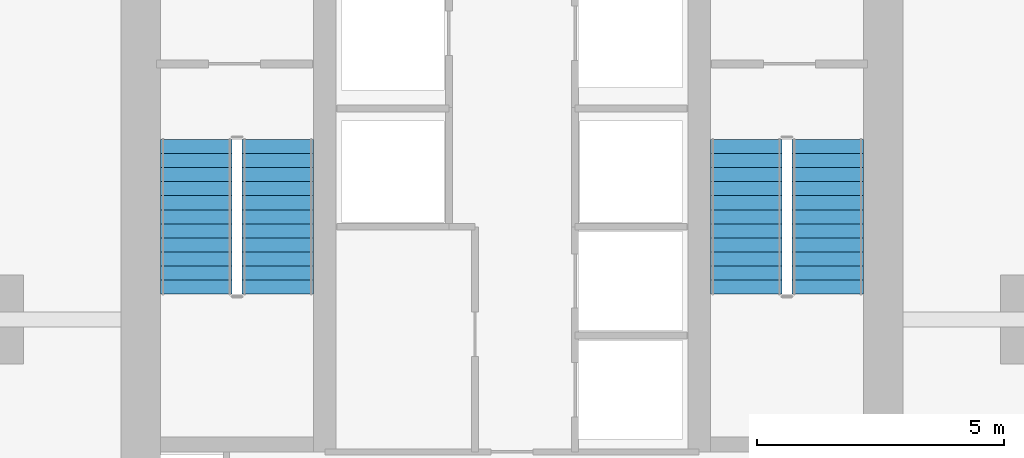
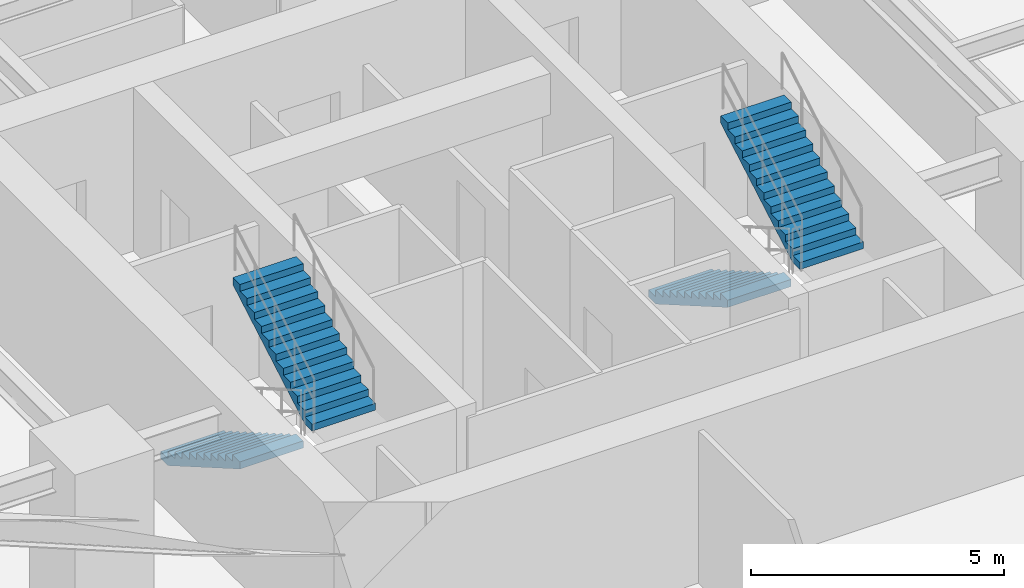
# One storey, part 23 of 25: 4 stair flights, 2 elements without a shape of their own.
"""IFC4 building model written with IfcOpenShell, lengths in metres."""

import ifcopenshell
import ifcopenshell.guid

model = None  # the IFC model being written
_history = None  # IfcOwnerHistory: only IFC2X3 demands one
_inside = {}  # id of a spatial element -> (the spatial element, [elements in it])
_under = {}  # id of a project, library or spatial element -> (it, [spatial elements below it])
_declared = {}  # id of a project -> (the project, [libraries it declares])
_typed = {}  # id of a type object -> (the type object, [elements of that type])
_made_of = {}  # id of a material, layer set ... -> (it, [elements and type objects made of it])


def new_model(schema):
    """Start an empty IFC model of exactly this schema.

    Asked for "IFC4X3", IfcOpenShell would pick the latest addendum, in which some entities
    have other attributes; the version numbers below select the first issue.
    IFC2X3 requires an IfcOwnerHistory on every rooted entity: one is made here for all.
    """
    global model, _history
    if schema == "IFC4X3":
        model = ifcopenshell.file(schema_version=(4, 3, 0, 0))
    else:
        model = ifcopenshell.file(schema=schema)
    _inside.clear()
    _under.clear()
    _declared.clear()
    _typed.clear()
    _made_of.clear()
    _history = None
    if model.schema == "IFC2X3":
        org = make("IfcOrganization", Name="unknown")
        user = make(
            "IfcPersonAndOrganization",
            ThePerson=make("IfcPerson", FamilyName="unknown"),
            TheOrganization=org,
        )
        app = make(
            "IfcApplication",
            ApplicationDeveloper=org,
            Version="unknown",
            ApplicationFullName="unknown",
            ApplicationIdentifier="unknown",
        )
        _history = make(
            "IfcOwnerHistory",
            OwningUser=user,
            OwningApplication=app,
            ChangeAction="ADDED",
            CreationDate=0,
        )
    return model


def make(cls, **values):
    """One entity of the class cls with the attributes given. An attribute that is None is left unset."""
    return model.create_entity(
        cls, **{name: value for name, value in values.items() if value is not None}
    )


def rooted(cls, **values):
    """An entity with a GlobalId (a new one), such as an element, a storey or a relation."""
    return make(cls, GlobalId=ifcopenshell.guid.new(), OwnerHistory=_history, **values)


def si_unit(unit_type, name, prefix=None):
    """IfcSIUnit, for example si_unit("LENGTHUNIT", "METRE", prefix="MILLI")."""
    return make("IfcSIUnit", UnitType=unit_type, Prefix=prefix, Name=name)


def assignment(units):
    """IfcUnitAssignment: the units of a project."""
    return None if units is None else make("IfcUnitAssignment", Units=units)


def point(xyz):
    """IfcCartesianPoint."""
    return None if xyz is None else make("IfcCartesianPoint", Coordinates=xyz)


def direction(xyz):
    """IfcDirection."""
    return None if xyz is None else make("IfcDirection", DirectionRatios=xyz)


def frame(location, z_axis=None, x_axis=None):
    """IfcAxis2Placement3D, a coordinate frame: its origin and axes. An axis left out is left unset."""
    return make(
        "IfcAxis2Placement3D",
        Location=point(location),
        Axis=direction(z_axis),
        RefDirection=direction(x_axis),
    )


def origin():
    """The frame at (0, 0, 0) with its axes left unset."""
    return frame((0.0, 0.0, 0.0))


def place(relative_to, where):
    """IfcLocalPlacement: puts the frame where relative to a parent placement (None: the world)."""
    return make(
        "IfcLocalPlacement", PlacementRelTo=relative_to, RelativePlacement=where
    )


def context(
    kind, dimensions, precision=None, world=None, true_north=None, identifier=None
):
    """IfcGeometricRepresentationContext, for example the 3D "Model" context."""
    return make(
        "IfcGeometricRepresentationContext",
        ContextIdentifier=identifier,
        ContextType=kind,
        CoordinateSpaceDimension=dimensions,
        Precision=precision,
        WorldCoordinateSystem=world,
        TrueNorth=true_north,
    )


def subcontext(parent, identifier, kind, view, scale=None):
    """IfcGeometricRepresentationSubContext, for example "Body" below "Model"."""
    return make(
        "IfcGeometricRepresentationSubContext",
        ContextIdentifier=identifier,
        ContextType=kind,
        ParentContext=parent,
        TargetScale=scale,
        TargetView=view,
    )


def project(units=None, contexts=None):
    """IfcProject with its units and contexts."""
    return rooted(
        "IfcProject",
        Name="project",
        RepresentationContexts=contexts,
        UnitsInContext=assignment(units),
    )


def spatial(cls, under=None, at=None, **own):
    """A site, building, storey or space (cls), placed at a placement, below another one or the project."""
    s = rooted(cls, ObjectPlacement=at, **own)
    if under is not None:
        _under.setdefault(under.id(), (under, []))[1].append(s)
    return s


def polyline(points):
    """IfcPolyline through the points."""
    return make("IfcPolyline", Points=[point(p) for p in points])


def outline(outer, holes=None, kind="AREA"):
    """IfcArbitraryClosedProfileDef: a profile drawn as a closed curve; with holes, ...WithVoids."""
    if holes is None:
        return make("IfcArbitraryClosedProfileDef", ProfileType=kind, OuterCurve=outer)
    return make(
        "IfcArbitraryProfileDefWithVoids",
        ProfileType=kind,
        OuterCurve=outer,
        InnerCurves=holes,
    )


def extrude(swept, where, along, depth):
    """IfcExtrudedAreaSolid: the profile swept, set in the frame where, extruded along a direction by depth."""
    return make(
        "IfcExtrudedAreaSolid",
        SweptArea=swept,
        Position=where,
        ExtrudedDirection=direction(along),
        Depth=depth,
    )


def shape(context_of_items, identifier, shape_type, items):
    """IfcShapeRepresentation: the items that make up one representation, for example the "Body"."""
    return make(
        "IfcShapeRepresentation",
        ContextOfItems=context_of_items,
        RepresentationIdentifier=identifier,
        RepresentationType=shape_type,
        Items=items,
    )


def material(Name=None, Category=None):
    """IfcMaterial."""
    return make("IfcMaterial", Name=Name, Category=Category)


def made_of(thing, what):
    """Note that an element or type object is made of a material, layer set ...; save() writes the relation."""
    if what is not None:
        _made_of.setdefault(what.id(), (what, []))[1].append(thing)
    return thing


def type_object(cls, material=None, **own):
    """A type object (cls), such as IfcWallType, which elements share."""
    return made_of(rooted(cls, **own), material)


def element(
    cls,
    number,
    at=None,
    inside=None,
    cuts=None,
    type_object=None,
    material=None,
    context=None,
    identifier="Body",
    shape_type=None,
    held_by="IfcProductDefinitionShape",
    body=None,
    shapes=None,
    **own,
):
    """One element of the class cls, such as IfcWall. Its Tag is "e" and its number.

    at: its placement. inside: the storey or other place that contains it. cuts: it is an
    opening in that element (IfcRelVoidsElement). A single representation is given by context,
    identifier, shape_type and body (its items); several are given by shapes. held_by: the class
    of the entity that holds the representations. save() writes the other relations.
    """
    e = rooted(cls, Tag="e%d" % number, ObjectPlacement=at, **own)
    if body is not None:
        shapes = [shape(context, identifier, shape_type, body)]
    if shapes is not None:
        e.Representation = make(held_by, Representations=shapes)
    if inside is not None:
        _inside.setdefault(inside.id(), (inside, []))[1].append(e)
    if cuts is not None:
        rooted(
            "IfcRelVoidsElement", RelatingBuildingElement=cuts, RelatedOpeningElement=e
        )
    if type_object is not None:
        _typed.setdefault(type_object.id(), (type_object, []))[1].append(e)
    return made_of(e, material)


def aggregate(whole, parts):
    """IfcRelAggregates: a whole, such as a stair, and the parts it consists of."""
    return rooted("IfcRelAggregates", RelatingObject=whole, RelatedObjects=parts)


def save(model, path):
    """Write the relations noted so far, then the file.

    IfcRelAggregates (storeys below a building ...), IfcRelContainedInSpatialStructure (elements
    in a storey), IfcRelDefinesByType, IfcRelAssociatesMaterial and IfcRelDeclares: one each for
    every whole, place, type object, material and project.
    """
    for whole, parts in _under.values():
        aggregate(whole, parts)
    for where, things in _inside.values():
        rooted(
            "IfcRelContainedInSpatialStructure",
            RelatedElements=things,
            RelatingStructure=where,
        )
    for kind, things in _typed.values():
        rooted("IfcRelDefinesByType", RelatedObjects=things, RelatingType=kind)
    for what, things in _made_of.values():
        rooted("IfcRelAssociatesMaterial", RelatedObjects=things, RelatingMaterial=what)
    for by, libraries in _declared.values():
        rooted("IfcRelDeclares", RelatingContext=by, RelatedDefinitions=libraries)
    model.write(path)


model = new_model("IFC4")

# Units and contexts
model_context = context("Model", 3, precision=1e-05, world=origin(), true_north=direction((0.0, 1.0)))
body_context = subcontext(model_context, "Body", "Model", "MODEL_VIEW")
ifc_project = project(units=[si_unit("LENGTHUNIT", "METRE"), si_unit("AREAUNIT", "SQUARE_METRE"), si_unit("VOLUMEUNIT", "CUBIC_METRE"), si_unit("PLANEANGLEUNIT", "RADIAN"), si_unit("MASSUNIT", "GRAM", prefix="KILO")], contexts=[model_context])

# Site, building, storey
site_placement = place(None, origin())
site = spatial("IfcSite", under=ifc_project, at=site_placement, CompositionType="ELEMENT")
building_placement = place(site_placement, origin())
building = spatial("IfcBuilding", under=site, at=building_placement, Name="Krantzveldt Concourse Tower", CompositionType="ELEMENT")
storey_placement = place(building_placement, frame((0.0, 0.0, 181.75)))
storey = spatial("IfcBuildingStorey", under=building, at=storey_placement, Name="L44", CompositionType="ELEMENT", Elevation=181.75)

# Stair, stair flights
ifc_material = material(Name="Precast concrete C40/50", Category="concrete")
stair_type = type_object("IfcStairType", Name="STR-CORE-DOGLEG", PredefinedType="HALF_TURN_STAIR", material=ifc_material)
stair_1_placement = place(storey_placement, origin())
stair_1 = element("IfcStair", 1, at=stair_1_placement, inside=storey, type_object=stair_type, Name="L44 Protected Escape Stair ST-1", PredefinedType="HALF_TURN_STAIR")
stair_flight_type = type_object("IfcStairFlightType", Name="STF-CORE-1450", PredefinedType="STRAIGHT", material=ifc_material)
stair_flight_1_placement = place(storey_placement, frame((29.60498046875, 19.550048828125, 0.0), z_axis=(0.0, 0.0, 1.0), x_axis=(0.0, -1.0, 0.0)))
stair_flight_1 = element("IfcStairFlight", 2, at=stair_flight_1_placement, type_object=stair_flight_type, Name="ST-1 flight 1", NumberOfRisers=12, NumberOfTreads=11, PredefinedType="STRAIGHT", RiserHeight=0.164583333, TreadLength=0.285, context=body_context, shape_type="SweptSolid", body=[
    extrude(outline(polyline([(0.0, 0.0), (0.0, 0.16455078125), (0.284912109375, 0.16455078125), (0.284912109375, 0.3291015625), (0.570068359375, 0.3291015625), (0.570068359375, 0.49365234375), (0.85498046875, 0.49365234375), (0.85498046875, 0.658447265625), (1.139892578125, 0.658447265625), (1.139892578125, 0.822998046875), (1.425048828125, 0.822998046875), (1.425048828125, 0.987548828125), (1.7099609375, 0.987548828125), (1.7099609375, 1.152099609375), (1.9951171875, 1.152099609375), (1.9951171875, 1.316650390625), (2.280029296875, 1.316650390625), (2.280029296875, 1.481201171875), (2.56494140625, 1.481201171875), (2.56494140625, 1.645751953125), (2.85009765625, 1.645751953125), (2.85009765625, 1.810302734375), (3.135009765625, 1.810302734375), (3.135009765625, 1.97509765625), (3.135009765625, 1.63720703125), (0.2998046875, 0.0), (0.0, 0.0)])), frame((0.0, 0.72509765625, 0.0), z_axis=(0.0, -1.0, 0.0), x_axis=(1.0, 0.0, 0.0)), (0.0, 0.0, 1.0), 1.449951171875),
])
stair_flight_2_placement = place(storey_placement, frame((31.2548828125, 16.4150390625, 1.97509765625), z_axis=(0.0, 0.0, 1.0), x_axis=(0.0, 1.0, 0.0)))
stair_flight_2 = element("IfcStairFlight", 3, at=stair_flight_2_placement, type_object=stair_flight_type, Name="ST-1 flight 2", NumberOfRisers=12, NumberOfTreads=11, PredefinedType="STRAIGHT", RiserHeight=0.164583333, TreadLength=0.285, context=body_context, shape_type="SweptSolid", body=[
    extrude(outline(polyline([(0.0, 0.0), (0.0, 0.16455078125), (0.284912109375, 0.16455078125), (0.284912109375, 0.3291015625), (0.570068359375, 0.3291015625), (0.570068359375, 0.49365234375), (0.85498046875, 0.49365234375), (0.85498046875, 0.658447265625), (1.139892578125, 0.658447265625), (1.139892578125, 0.822998046875), (1.425048828125, 0.822998046875), (1.425048828125, 0.987548828125), (1.7099609375, 0.987548828125), (1.7099609375, 1.152099609375), (1.9951171875, 1.152099609375), (1.9951171875, 1.316650390625), (2.280029296875, 1.316650390625), (2.280029296875, 1.481201171875), (2.56494140625, 1.481201171875), (2.56494140625, 1.645751953125), (2.85009765625, 1.645751953125), (2.85009765625, 1.810302734375), (3.135009765625, 1.810302734375), (3.135009765625, 1.97509765625), (3.135009765625, 1.63720703125), (0.2998046875, 0.0), (0.0, 0.0)])), frame((0.0, 0.72509765625, 0.0), z_axis=(0.0, -1.0, 0.0), x_axis=(1.0, 0.0, 0.0)), (0.0, 0.0, 1.0), 1.449951171875),
])
aggregate(stair_1, [stair_flight_1, stair_flight_2])

stair_2_placement = place(storey_placement, origin())
stair_2 = element("IfcStair", 4, at=stair_2_placement, inside=storey, type_object=stair_type, Name="L44 Protected Escape Stair ST-2", PredefinedType="HALF_TURN_STAIR")
stair_flight_3_placement = place(storey_placement, frame((40.7451171875, 19.550048828125, 0.0), z_axis=(0.0, 0.0, 1.0), x_axis=(0.0, -1.0, 0.0)))
stair_flight_3 = element("IfcStairFlight", 5, at=stair_flight_3_placement, type_object=stair_flight_type, Name="ST-2 flight 1", NumberOfRisers=12, NumberOfTreads=11, PredefinedType="STRAIGHT", RiserHeight=0.164583333, TreadLength=0.285, context=body_context, shape_type="SweptSolid", body=[
    extrude(outline(polyline([(0.0, 0.0), (0.0, 0.16455078125), (0.284912109375, 0.16455078125), (0.284912109375, 0.3291015625), (0.570068359375, 0.3291015625), (0.570068359375, 0.49365234375), (0.85498046875, 0.49365234375), (0.85498046875, 0.658447265625), (1.139892578125, 0.658447265625), (1.139892578125, 0.822998046875), (1.425048828125, 0.822998046875), (1.425048828125, 0.987548828125), (1.7099609375, 0.987548828125), (1.7099609375, 1.152099609375), (1.9951171875, 1.152099609375), (1.9951171875, 1.316650390625), (2.280029296875, 1.316650390625), (2.280029296875, 1.481201171875), (2.56494140625, 1.481201171875), (2.56494140625, 1.645751953125), (2.85009765625, 1.645751953125), (2.85009765625, 1.810302734375), (3.135009765625, 1.810302734375), (3.135009765625, 1.97509765625), (3.135009765625, 1.63720703125), (0.2998046875, 0.0), (0.0, 0.0)])), frame((0.0, 0.72509765625, 0.0), z_axis=(0.0, -1.0, 0.0), x_axis=(1.0, 0.0, 0.0)), (0.0, 0.0, 1.0), 1.449951171875),
])
stair_flight_4_placement = place(storey_placement, frame((42.39501953125, 16.4150390625, 1.97509765625), z_axis=(0.0, 0.0, 1.0), x_axis=(0.0, 1.0, 0.0)))
stair_flight_4 = element("IfcStairFlight", 6, at=stair_flight_4_placement, type_object=stair_flight_type, Name="ST-2 flight 2", NumberOfRisers=12, NumberOfTreads=11, PredefinedType="STRAIGHT", RiserHeight=0.164583333, TreadLength=0.285, context=body_context, shape_type="SweptSolid", body=[
    extrude(outline(polyline([(0.0, 0.0), (0.0, 0.16455078125), (0.284912109375, 0.16455078125), (0.284912109375, 0.3291015625), (0.570068359375, 0.3291015625), (0.570068359375, 0.49365234375), (0.85498046875, 0.49365234375), (0.85498046875, 0.658447265625), (1.139892578125, 0.658447265625), (1.139892578125, 0.822998046875), (1.425048828125, 0.822998046875), (1.425048828125, 0.987548828125), (1.7099609375, 0.987548828125), (1.7099609375, 1.152099609375), (1.9951171875, 1.152099609375), (1.9951171875, 1.316650390625), (2.280029296875, 1.316650390625), (2.280029296875, 1.481201171875), (2.56494140625, 1.481201171875), (2.56494140625, 1.645751953125), (2.85009765625, 1.645751953125), (2.85009765625, 1.810302734375), (3.135009765625, 1.810302734375), (3.135009765625, 1.97509765625), (3.135009765625, 1.63720703125), (0.2998046875, 0.0), (0.0, 0.0)])), frame((0.0, 0.72509765625, 0.0), z_axis=(0.0, -1.0, 0.0), x_axis=(1.0, 0.0, 0.0)), (0.0, 0.0, 1.0), 1.449951171875),
])
aggregate(stair_2, [stair_flight_3, stair_flight_4])

save(model, "model.ifc")
